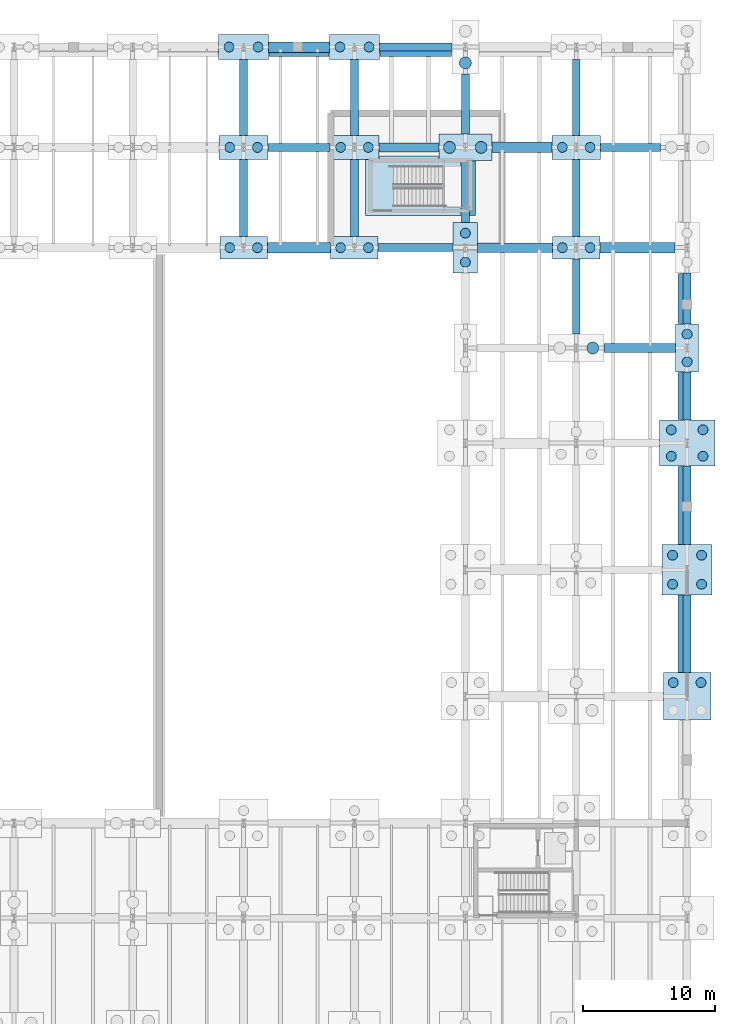
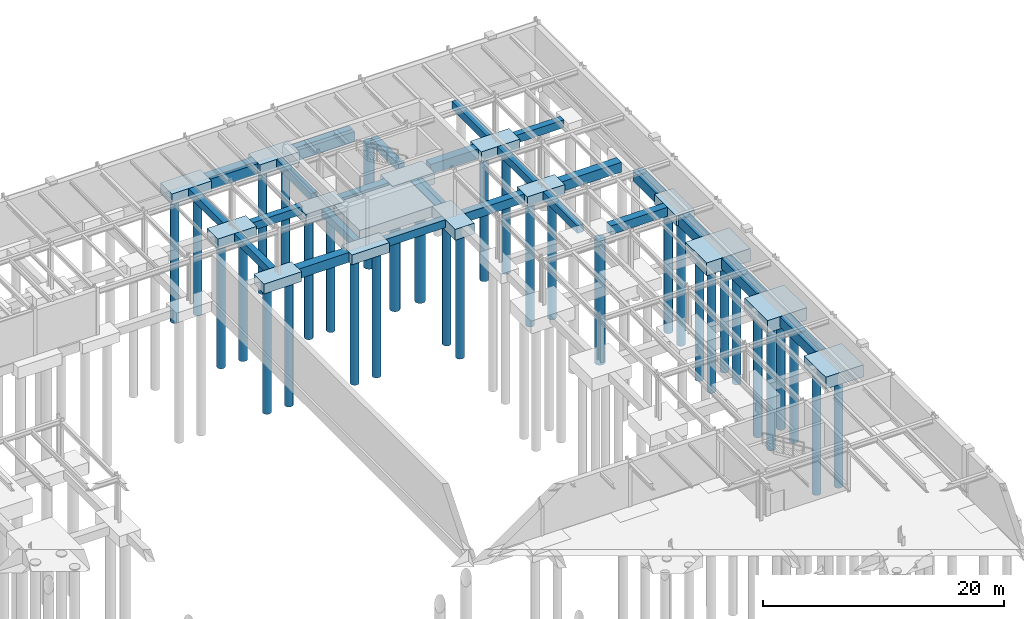
# One storey, part 12 of 59: 46 footings, 34 piles.
"""IFC4 building model written with IfcOpenShell, lengths in metres."""

from ifc_helpers import new_model, si_unit, direction, frame, origin, origin_2d, place, context, subcontext, project, spatial, polyline, rectangle, circle, outline, extrude, material, material_profile, profile_set, type_object, element, save


model = new_model("IFC4")

# Units and contexts
model_context = context("Model", 3, precision=1e-05, world=origin(), true_north=direction((0.0, 1.0)))
body_context = subcontext(model_context, "Body", "Model", "MODEL_VIEW")
ifc_project = project(units=[si_unit("LENGTHUNIT", "METRE"), si_unit("AREAUNIT", "SQUARE_METRE"), si_unit("VOLUMEUNIT", "CUBIC_METRE"), si_unit("PLANEANGLEUNIT", "RADIAN"), si_unit("MASSUNIT", "GRAM", prefix="KILO")], contexts=[model_context])

# Site, building, storey
site_placement = place(None, origin())
site = spatial("IfcSite", under=ifc_project, at=site_placement, CompositionType="ELEMENT")
building_placement = place(site_placement, origin())
building = spatial("IfcBuilding", under=site, at=building_placement, Name="Montealbar Specialist Clinic", CompositionType="ELEMENT")
storey_placement = place(building_placement, frame((0.0, 0.0, -4.800048828125)))
storey = spatial("IfcBuildingStorey", under=building, at=storey_placement, Name="B01", CompositionType="ELEMENT", Elevation=-4.800048828125)

# Footings
ifc_material = material(Name="Concrete C35/45", Category="concrete")
footing_type_1 = type_object("IfcFootingType", Name="FB-TIE-600x800", PredefinedType="FOOTING_BEAM", material=ifc_material)
footing_1_placement = place(storey_placement, frame((0.0, 0.0, -0.800048828125)))
element("IfcFooting", 1, at=footing_1_placement, inside=storey, type_object=footing_type_1, Name="Foundation Ground Beam FBX-1386-1443-958", PredefinedType="FOOTING_BEAM", context=body_context, shape_type="SweptSolid", body=[
    extrude(outline(polyline([(138.60009765625, 95.5), (144.27490234375, 95.5), (144.27490234375, 96.10009765625), (138.60009765625, 96.10009765625), (138.60009765625, 95.5)])), origin(), (0.0, 0.0, 1.0), 0.800048828125),
])
footing_2_placement = place(storey_placement, frame((0.0, 0.0, -0.800048828125)))
element("IfcFooting", 2, at=footing_2_placement, inside=storey, type_object=footing_type_1, Name="Foundation Ground Beam FBX-1302-1350-1034", PredefinedType="FOOTING_BEAM", context=body_context, shape_type="SweptSolid", body=[
    extrude(outline(polyline([(130.25, 103.10009765625), (134.949951171875, 103.10009765625), (134.949951171875, 103.699951171875), (130.25, 103.699951171875), (130.25, 103.10009765625)])), origin(), (0.0, 0.0, 1.0), 0.800048828125),
])
footing_3_placement = place(storey_placement, frame((0.0, 0.0, -0.800048828125)))
element("IfcFooting", 3, at=footing_3_placement, inside=storey, type_object=footing_type_1, Name="Foundation Ground Beam FBX-1554-1600-1034", PredefinedType="FOOTING_BEAM", context=body_context, shape_type="SweptSolid", body=[
    extrude(outline(polyline([(155.449951171875, 103.10009765625), (160.0, 103.10009765625), (160.0, 103.699951171875), (155.449951171875, 103.699951171875), (155.449951171875, 103.10009765625)])), origin(), (0.0, 0.0, 1.0), 0.800048828125),
])
footing_4_placement = place(storey_placement, frame((0.0, 0.0, -0.800048828125)))
element("IfcFooting", 4, at=footing_4_placement, inside=storey, type_object=footing_type_1, Name="Foundation Ground Beam FBX-1387-1442-1110", PredefinedType="FOOTING_BEAM", context=body_context, shape_type="SweptSolid", body=[
    extrude(outline(polyline([(138.699951171875, 110.699951171875), (144.175048828125, 110.699951171875), (144.175048828125, 111.300048828125), (138.699951171875, 111.300048828125), (138.699951171875, 110.699951171875)])), origin(), (0.0, 0.0, 1.0), 0.800048828125),
])
footing_5_placement = place(storey_placement, frame((0.0, 0.0, -0.800048828125)))
element("IfcFooting", 5, at=footing_5_placement, inside=storey, type_object=footing_type_1, Name="Foundation Tie Beam FBY-1284-966-1025", PredefinedType="FOOTING_BEAM", context=body_context, shape_type="SweptSolid", body=[
    extrude(outline(polyline([(128.10009765625, 96.64990234375), (128.699951171875, 96.64990234375), (128.699951171875, 102.5), (128.10009765625, 102.5), (128.10009765625, 96.64990234375)])), origin(), (0.0, 0.0, 1.0), 0.800048828125),
])
footing_6_placement = place(storey_placement, frame((0.0, 0.0, -0.800048828125)))
element("IfcFooting", 6, at=footing_6_placement, inside=storey, type_object=footing_type_1, Name="Foundation Tie Beam FBY-1284-1043-1100", PredefinedType="FOOTING_BEAM", context=body_context, shape_type="SweptSolid", body=[
    extrude(outline(polyline([(128.10009765625, 104.300048828125), (128.699951171875, 104.300048828125), (128.699951171875, 110.050048828125), (128.10009765625, 110.050048828125), (128.10009765625, 104.300048828125)])), origin(), (0.0, 0.0, 1.0), 0.800048828125),
])
footing_7_placement = place(storey_placement, frame((0.0, 0.0, -1.25)))
element("IfcFooting", 7, at=footing_7_placement, inside=storey, type_object=footing_type_1, Name="Foundation Tie Beam FBY-1368-966-1025", PredefinedType="FOOTING_BEAM", context=body_context, shape_type="SweptSolid", body=[
    extrude(outline(polyline([(136.5, 96.64990234375), (137.10009765625, 96.64990234375), (137.10009765625, 102.5), (136.5, 102.5), (136.5, 96.64990234375)])), origin(), (0.0, 0.0, 1.0), 0.800048828125),
])
footing_8_placement = place(storey_placement, frame((0.0, 0.0, -0.800048828125)))
element("IfcFooting", 8, at=footing_8_placement, inside=storey, type_object=footing_type_1, Name="Foundation Tie Beam FBY-1368-1043-1100", PredefinedType="FOOTING_BEAM", context=body_context, shape_type="SweptSolid", body=[
    extrude(outline(polyline([(136.5, 104.300048828125), (137.10009765625, 104.300048828125), (137.10009765625, 110.050048828125), (136.5, 110.050048828125), (136.5, 104.300048828125)])), origin(), (0.0, 0.0, 1.0), 0.800048828125),
])
footing_9_placement = place(storey_placement, frame((0.0, 0.0, -1.25)))
element("IfcFooting", 9, at=footing_9_placement, inside=storey, type_object=footing_type_1, Name="Foundation Tie Beam FBY-1452-977-1024", PredefinedType="FOOTING_BEAM", context=body_context, shape_type="SweptSolid", body=[
    extrude(outline(polyline([(144.89990234375, 97.72509765625), (145.5, 97.72509765625), (145.5, 102.39990234375), (144.89990234375, 102.39990234375), (144.89990234375, 97.72509765625)])), origin(), (0.0, 0.0, 1.0), 0.800048828125),
])
footing_10_placement = place(storey_placement, frame((0.0, 0.0, -0.800048828125)))
element("IfcFooting", 10, at=footing_10_placement, inside=storey, type_object=footing_type_1, Name="Foundation Tie Beam FBY-1452-1044-1090", PredefinedType="FOOTING_BEAM", context=body_context, shape_type="SweptSolid", body=[
    extrude(outline(polyline([(144.89990234375, 104.39990234375), (145.5, 104.39990234375), (145.5, 108.949951171875), (144.89990234375, 108.949951171875), (144.89990234375, 104.39990234375)])), origin(), (0.0, 0.0, 1.0), 0.800048828125),
])
footing_11_placement = place(storey_placement, frame((0.0, 0.0, -0.800048828125)))
element("IfcFooting", 11, at=footing_11_placement, inside=storey, type_object=footing_type_1, Name="Foundation Tie Beam FBY-1536-893-950", PredefinedType="FOOTING_BEAM", context=body_context, shape_type="SweptSolid", body=[
    extrude(outline(polyline([(153.300048828125, 89.27490234375), (153.89990234375, 89.27490234375), (153.89990234375, 94.949951171875), (153.300048828125, 94.949951171875), (153.300048828125, 89.27490234375)])), origin(), (0.0, 0.0, 1.0), 0.800048828125),
])
footing_12_placement = place(storey_placement, frame((0.0, 0.0, -0.800048828125)))
element("IfcFooting", 12, at=footing_12_placement, inside=storey, type_object=footing_type_1, Name="Foundation Tie Beam FBY-1536-966-1025", PredefinedType="FOOTING_BEAM", context=body_context, shape_type="SweptSolid", body=[
    extrude(outline(polyline([(153.300048828125, 96.64990234375), (153.89990234375, 96.64990234375), (153.89990234375, 102.5), (153.300048828125, 102.5), (153.300048828125, 96.64990234375)])), origin(), (0.0, 0.0, 1.0), 0.800048828125),
])
footing_13_placement = place(storey_placement, frame((0.0, 0.0, -0.800048828125)))
element("IfcFooting", 13, at=footing_13_placement, inside=storey, type_object=footing_type_1, Name="Foundation Tie Beam FBY-1536-1043-1100", PredefinedType="FOOTING_BEAM", context=body_context, shape_type="SweptSolid", body=[
    extrude(outline(polyline([(153.300048828125, 104.300048828125), (153.89990234375, 104.300048828125), (153.89990234375, 110.050048828125), (153.300048828125, 110.050048828125), (153.300048828125, 104.300048828125)])), origin(), (0.0, 0.0, 1.0), 0.800048828125),
])
footing_14_placement = place(storey_placement, frame((0.0, 0.0, -0.800048828125)))
element("IfcFooting", 14, at=footing_14_placement, inside=storey, type_object=footing_type_1, Name="Foundation Tie Beam FBY-1620-636-695", PredefinedType="FOOTING_BEAM", context=body_context, shape_type="SweptSolid", body=[
    extrude(outline(polyline([(161.699951171875, 63.60009765625), (162.300048828125, 63.60009765625), (162.300048828125, 69.5), (161.699951171875, 69.5), (161.699951171875, 63.60009765625)])), origin(), (0.0, 0.0, 1.0), 0.800048828125),
])
footing_15_placement = place(storey_placement, frame((0.0, 0.0, -0.800048828125)))
element("IfcFooting", 15, at=footing_15_placement, inside=storey, type_object=footing_type_1, Name="Foundation Tie Beam FBY-1620-733-792", PredefinedType="FOOTING_BEAM", context=body_context, shape_type="SweptSolid", body=[
    extrude(outline(polyline([(161.699951171875, 73.300048828125), (162.300048828125, 73.300048828125), (162.300048828125, 79.25), (161.699951171875, 79.25), (161.699951171875, 73.300048828125)])), origin(), (0.0, 0.0, 1.0), 0.800048828125),
])
footing_16_placement = place(storey_placement, frame((0.0, 0.0, -0.800048828125)))
element("IfcFooting", 16, at=footing_16_placement, inside=storey, type_object=footing_type_1, Name="Foundation Tie Beam FBY-1620-828-864", PredefinedType="FOOTING_BEAM", context=body_context, shape_type="SweptSolid", body=[
    extrude(outline(polyline([(161.699951171875, 82.75), (162.300048828125, 82.75), (162.300048828125, 86.375), (161.699951171875, 86.375), (161.699951171875, 82.75)])), origin(), (0.0, 0.0, 1.0), 0.800048828125),
])
footing_17_placement = place(storey_placement, frame((0.0, 0.0, -0.800048828125)))
element("IfcFooting", 17, at=footing_17_placement, inside=storey, type_object=footing_type_1, Name="Foundation Tie Beam FBY-1620-900-939", PredefinedType="FOOTING_BEAM", context=body_context, shape_type="SweptSolid", body=[
    extrude(outline(polyline([(161.699951171875, 90.02490234375), (162.300048828125, 90.02490234375), (162.300048828125, 93.875), (161.699951171875, 93.875), (161.699951171875, 90.02490234375)])), origin(), (0.0, 0.0, 1.0), 0.800048828125),
])
footing_type_2 = type_object("IfcFootingType", Name="FB-TIE-700x900", PredefinedType="FOOTING_BEAM", material=ifc_material)
footing_18_placement = place(storey_placement, frame((0.0, 0.0, -0.89990234375)))
element("IfcFooting", 18, at=footing_18_placement, inside=storey, type_object=footing_type_2, Name="Foundation Ground Beam FBX-1557-1611-882", PredefinedType="FOOTING_BEAM", context=body_context, shape_type="SweptSolid", body=[
    extrude(outline(polyline([(155.699951171875, 87.85009765625), (161.125, 87.85009765625), (161.125, 88.550048828125), (155.699951171875, 88.550048828125), (155.699951171875, 87.85009765625)])), origin(), (0.0, 0.0, 1.0), 0.89990234375),
])
footing_19_placement = place(storey_placement, frame((0.0, 0.0, -0.89990234375)))
element("IfcFooting", 19, at=footing_19_placement, inside=storey, type_object=footing_type_2, Name="Foundation Ground Beam FBX-1461-1518-958", PredefinedType="FOOTING_BEAM", context=body_context, shape_type="SweptSolid", body=[
    extrude(outline(polyline([(146.125, 95.449951171875), (151.800048828125, 95.449951171875), (151.800048828125, 96.14990234375), (146.125, 96.14990234375), (146.125, 95.449951171875)])), origin(), (0.0, 0.0, 1.0), 0.89990234375),
])
footing_20_placement = place(storey_placement, frame((0.0, 0.0, -1.349853515625)))
element("IfcFooting", 20, at=footing_20_placement, inside=storey, type_object=footing_type_2, Name="Foundation Ground Beam FBX-1386-1432-1034", PredefinedType="FOOTING_BEAM", context=body_context, shape_type="SweptSolid", body=[
    extrude(outline(polyline([(138.64990234375, 103.050048828125), (143.199951171875, 103.050048828125), (143.199951171875, 103.75), (138.64990234375, 103.75), (138.64990234375, 103.050048828125)])), origin(), (0.0, 0.0, 1.0), 0.89990234375),
])
footing_type_3 = type_object("IfcFootingType", Name="FB-TIE-800x1000", PredefinedType="FOOTING_BEAM", material=ifc_material)
footing_21_placement = place(storey_placement, frame((0.0, 0.0, -1.0)))
element("IfcFooting", 21, at=footing_21_placement, inside=storey, type_object=footing_type_3, Name="Foundation Ground Beam FBX-1302-1350-958", PredefinedType="FOOTING_BEAM", context=body_context, shape_type="SweptSolid", body=[
    extrude(outline(polyline([(130.199951171875, 95.39990234375), (135.0, 95.39990234375), (135.0, 96.199951171875), (130.199951171875, 96.199951171875), (130.199951171875, 95.39990234375)])), origin(), (0.0, 0.0, 1.0), 1.0),
])
footing_22_placement = place(storey_placement, frame((0.0, 0.0, -1.0)))
element("IfcFooting", 22, at=footing_22_placement, inside=storey, type_object=footing_type_3, Name="Foundation Ground Beam FBX-1554-1611-958", PredefinedType="FOOTING_BEAM", context=body_context, shape_type="SweptSolid", body=[
    extrude(outline(polyline([(155.39990234375, 95.39990234375), (161.074951171875, 95.39990234375), (161.074951171875, 96.199951171875), (155.39990234375, 96.199951171875), (155.39990234375, 95.39990234375)])), origin(), (0.0, 0.0, 1.0), 1.0),
])
footing_23_placement = place(storey_placement, frame((0.0, 0.0, -1.0)))
element("IfcFooting", 23, at=footing_23_placement, inside=storey, type_object=footing_type_3, Name="Foundation Ground Beam FBX-1472-1518-1034", PredefinedType="FOOTING_BEAM", context=body_context, shape_type="SweptSolid", body=[
    extrude(outline(polyline([(147.199951171875, 103.0), (151.75, 103.0), (151.75, 103.800048828125), (147.199951171875, 103.800048828125), (147.199951171875, 103.0)])), origin(), (0.0, 0.0, 1.0), 1.0),
])
footing_24_placement = place(storey_placement, frame((0.0, 0.0, -1.0)))
element("IfcFooting", 24, at=footing_24_placement, inside=storey, type_object=footing_type_3, Name="Foundation Ground Beam FBX-1303-1349-1110", PredefinedType="FOOTING_BEAM", context=body_context, shape_type="SweptSolid", body=[
    extrude(outline(polyline([(130.300048828125, 110.60009765625), (134.89990234375, 110.60009765625), (134.89990234375, 111.39990234375), (130.300048828125, 111.39990234375), (130.300048828125, 110.60009765625)])), origin(), (0.0, 0.0, 1.0), 1.0),
])
footing_type_4 = type_object("IfcFootingType", Name="FT-CORE-STRIP", PredefinedType="STRIP_FOOTING", material=ifc_material)
footing_25_placement = place(storey_placement, frame((0.0, 0.0, -1.050048828125)))
element("IfcFooting", 25, at=footing_25_placement, inside=storey, type_object=footing_type_4, Name="Strip Footing FT-PLINTH-N-ALL-8", PredefinedType="STRIP_FOOTING", context=body_context, shape_type="SweptSolid", body=[
    extrude(outline(polyline([(130.330078125, 110.570068359375), (134.8701171875, 110.570068359375), (134.8701171875, 110.300048828125), (130.330078125, 110.300048828125), (130.330078125, 110.570068359375)])), origin(), (0.0, 0.0, 1.0), 1.050048828125),
])
footing_26_placement = place(storey_placement, frame((0.0, 0.0, -1.050048828125)))
element("IfcFooting", 26, at=footing_26_placement, inside=storey, type_object=footing_type_4, Name="Strip Footing FT-PLINTH-N-ALL-9", PredefinedType="STRIP_FOOTING", context=body_context, shape_type="SweptSolid", body=[
    extrude(outline(polyline([(138.72998046875, 110.300048828125), (138.72998046875, 110.669921875), (144.14501953125, 110.669921875), (144.14501953125, 110.300048828125), (138.72998046875, 110.300048828125)])), origin(), (0.0, 0.0, 1.0), 1.050048828125),
])
footing_27_placement = place(storey_placement, frame((0.0, 0.0, -1.050048828125)))
element("IfcFooting", 27, at=footing_27_placement, inside=storey, type_object=footing_type_4, Name="Strip Footing FT-PLINTH-NE-E-1", PredefinedType="STRIP_FOOTING", context=body_context, shape_type="SweptSolid", body=[
    extrude(outline(polyline([(161.300048828125, 73.330078125), (161.300048828125, 79.219970703125), (161.669921875, 79.219970703125), (161.669921875, 73.330078125), (161.300048828125, 73.330078125)])), origin(), (0.0, 0.0, 1.0), 1.050048828125),
])
footing_28_placement = place(storey_placement, frame((0.0, 0.0, -1.050048828125)))
element("IfcFooting", 28, at=footing_28_placement, inside=storey, type_object=footing_type_4, Name="Strip Footing FT-PLINTH-NE-E-4", PredefinedType="STRIP_FOOTING", context=body_context, shape_type="SweptSolid", body=[
    extrude(outline(polyline([(161.300048828125, 90.054931640625), (161.300048828125, 93.844970703125), (161.669921875, 93.844970703125), (161.669921875, 90.054931640625), (161.300048828125, 90.054931640625)])), origin(), (0.0, 0.0, 1.0), 1.050048828125),
])
footing_29_placement = place(storey_placement, frame((0.0, 0.0, -1.050048828125)))
element("IfcFooting", 29, at=footing_29_placement, inside=storey, type_object=footing_type_4, Name="Strip Footing FT-PLINTH-NE-E-5", PredefinedType="STRIP_FOOTING", context=body_context, shape_type="SweptSolid", body=[
    extrude(outline(polyline([(161.300048828125, 86.344970703125), (161.669921875, 86.344970703125), (161.669921875, 82.780029296875), (161.300048828125, 82.780029296875), (161.300048828125, 86.344970703125)])), origin(), (0.0, 0.0, 1.0), 1.050048828125),
])
footing_30_placement = place(storey_placement, frame((0.0, 0.0, -1.050048828125)))
element("IfcFooting", 30, at=footing_30_placement, inside=storey, type_object=footing_type_4, Name="Strip Footing FT-PLINTH-NE-E-6", PredefinedType="STRIP_FOOTING", context=body_context, shape_type="SweptSolid", body=[
    extrude(outline(polyline([(161.669921875, 63.6298828125), (161.300048828125, 63.6298828125), (161.300048828125, 69.469970703125), (161.669921875, 69.469970703125), (161.669921875, 63.6298828125)])), origin(), (0.0, 0.0, 1.0), 1.050048828125),
])
footing_31_placement = place(storey_placement, frame((0.0, 0.0, -1.5)))
element("IfcFooting", 31, at=footing_31_placement, inside=storey, type_object=footing_type_4, Name="Strip Footing FT-CORE-C7-1", PredefinedType="STRIP_FOOTING", context=body_context, shape_type="SweptSolid", body=[
    extrude(outline(polyline([(143.169921875, 102.3701171875), (144.8701171875, 102.3701171875), (144.8701171875, 98.25), (137.64990234375, 98.25), (137.64990234375, 102.469970703125), (138.679931640625, 102.469970703125), (138.679931640625, 102.75), (143.169921875, 102.75), (143.169921875, 102.3701171875)])), origin(), (0.0, 0.0, 1.0), 1.050048828125),
])
footing_32_placement = place(storey_placement, frame((0.0, 0.0, -1.5)))
element("IfcFooting", 32, at=footing_32_placement, inside=storey, type_object=footing_type_4, Name="Strip Footing FT-CORE-C7-2", PredefinedType="STRIP_FOOTING", context=body_context, shape_type="SweptSolid", body=[
    extrude(outline(polyline([(145.530029296875, 102.3701171875), (145.949951171875, 102.3701171875), (145.949951171875, 98.25), (145.530029296875, 98.25), (145.530029296875, 102.3701171875)])), origin(), (0.0, 0.0, 1.0), 1.050048828125),
])
footing_type_5 = type_object("IfcFootingType", Name="PC-2A", PredefinedType="PILE_CAP", material=ifc_material)
for number, where, z_axis, x_axis, name in (
    (33, (128.39990234375, 95.800048828125, -1.0), (0.0, 0.0, 1.0), (1.0, 0.0, 0.0), "Pile Cap 17/M"),
    (34, (136.800048828125, 95.800048828125, -1.0), (0.0, 0.0, 1.0), (1.0, 0.0, 0.0), "Pile Cap 18/M"),
    (35, (153.60009765625, 95.800048828125, -1.0), (0.0, 0.0, 1.0), (1.0, 0.0, 0.0), "Pile Cap 20/M"),
):
    element("IfcFooting", number, at=place(storey_placement, frame(where, z_axis=z_axis, x_axis=x_axis)), inside=storey, type_object=footing_type_5, Name=name, PredefinedType="PILE_CAP", context=body_context, shape_type="SweptSolid", body=[
        extrude(rectangle(XDim=3.60009765625, YDim=1.699951171875, at=origin_2d()), origin(), (0.0, 0.0, 1.0), 1.0),
    ])
footing_type_6 = type_object("IfcFootingType", Name="PC-2B", PredefinedType="PILE_CAP", material=ifc_material)
for number, where, z_axis, x_axis, name in (
    (36, (128.39990234375, 103.39990234375, -1.0498046875), (0.0, 0.0, 1.0), (1.0, 0.0, 0.0), "Pile Cap 17/N"),
    (37, (136.800048828125, 103.39990234375, -1.5), (0.0, 0.0, 1.0), (1.0, 0.0, 0.0), "Pile Cap 18/N"),
    (38, (153.60009765625, 103.39990234375, -1.0498046875), (0.0, 0.0, 1.0), (1.0, 0.0, 0.0), "Pile Cap 20/N"),
):
    element("IfcFooting", number, at=place(storey_placement, frame(where, z_axis=z_axis, x_axis=x_axis)), inside=storey, type_object=footing_type_6, Name=name, PredefinedType="PILE_CAP", context=body_context, shape_type="SweptSolid", body=[
        extrude(rectangle(XDim=3.699951171875, YDim=1.800048828125, at=origin_2d()), origin(), (0.0, 0.0, 1.0), 1.050048828125),
    ])
footing_type_7 = type_object("IfcFootingType", Name="PC-2C", PredefinedType="PILE_CAP", material=ifc_material)
for number, where, z_axis, x_axis, name in (
    (39, (128.39990234375, 111.0, -1.10009765625), (0.0, 0.0, 1.0), (1.0, 0.0, 0.0), "Pile Cap 17/P"),
    (40, (136.800048828125, 111.0, -1.10009765625), (0.0, 0.0, 1.0), (1.0, 0.0, 0.0), "Pile Cap 18/P"),
):
    element("IfcFooting", number, at=place(storey_placement, frame(where, z_axis=z_axis, x_axis=x_axis)), inside=storey, type_object=footing_type_7, Name=name, PredefinedType="PILE_CAP", context=body_context, shape_type="SweptSolid", body=[
        extrude(rectangle(XDim=3.800048828125, YDim=1.89990234375, at=origin_2d()), origin(), (0.0, 0.0, 1.0), 1.10009765625),
    ])
footing_type_8 = type_object("IfcFootingType", Name="PC-2D", PredefinedType="PILE_CAP", material=ifc_material)
footing_33_placement = place(storey_placement, frame((162.0, 88.199951171875, -1.0), z_axis=(0.0, 0.0, 1.0), x_axis=(1.0, 0.0, 0.0)))
element("IfcFooting", 41, at=footing_33_placement, inside=storey, type_object=footing_type_8, Name="Pile Cap 21/L", PredefinedType="PILE_CAP", context=body_context, shape_type="SweptSolid", body=[
    extrude(rectangle(XDim=1.75, YDim=3.64990234375, at=origin_2d()), origin(), (0.0, 0.0, 1.0), 1.0),
])
footing_type_9 = type_object("IfcFootingType", Name="PC-2E", PredefinedType="PILE_CAP", material=ifc_material)
footing_34_placement = place(storey_placement, frame((145.199951171875, 95.800048828125, -1.10009765625), z_axis=(0.0, 0.0, 1.0), x_axis=(1.0, 0.0, 0.0)))
element("IfcFooting", 42, at=footing_34_placement, inside=storey, type_object=footing_type_9, Name="Pile Cap 19/M", PredefinedType="PILE_CAP", context=body_context, shape_type="SweptSolid", body=[
    extrude(rectangle(XDim=1.85009765625, YDim=3.85009765625, at=origin_2d()), origin(), (0.0, 0.0, 1.0), 1.10009765625),
])
footing_type_10 = type_object("IfcFootingType", Name="PC-2F", PredefinedType="PILE_CAP", material=ifc_material)
footing_35_placement = place(storey_placement, frame((145.199951171875, 103.39990234375, -1.599853515625), z_axis=(0.0, 0.0, 1.0), x_axis=(1.0, 0.0, 0.0)))
element("IfcFooting", 43, at=footing_35_placement, inside=storey, type_object=footing_type_10, Name="Pile Cap 19/N", PredefinedType="PILE_CAP", context=body_context, shape_type="SweptSolid", body=[
    extrude(rectangle(XDim=4.0, YDim=2.0, at=origin_2d()), origin(), (0.0, 0.0, 1.0), 1.14990234375),
])
footing_type_11 = type_object("IfcFootingType", Name="PC-4A", PredefinedType="PILE_CAP", material=ifc_material)
footing_36_placement = place(storey_placement, frame((162.0, 61.800048828125, -1.19970703125), z_axis=(0.0, 0.0, 1.0), x_axis=(1.0, 0.0, 0.0)))
element("IfcFooting", 44, at=footing_36_placement, inside=storey, type_object=footing_type_11, Name="Pile Cap 21/H", PredefinedType="PILE_CAP", context=body_context, shape_type="SweptSolid", body=[
    extrude(rectangle(XDim=3.60009765625, YDim=3.60009765625, at=origin_2d()), origin(), (0.0, 0.0, 1.0), 1.199951171875),
])
footing_type_12 = type_object("IfcFootingType", Name="PC-4B", PredefinedType="PILE_CAP", material=ifc_material)
footing_37_placement = place(storey_placement, frame((162.0, 71.39990234375, -1.25), z_axis=(0.0, 0.0, 1.0), x_axis=(1.0, 0.0, 0.0)))
element("IfcFooting", 45, at=footing_37_placement, inside=storey, type_object=footing_type_12, Name="Pile Cap 21/J", PredefinedType="PILE_CAP", context=body_context, shape_type="SweptSolid", body=[
    extrude(rectangle(XDim=3.800048828125, YDim=3.800048828125, at=origin_2d()), origin(), (0.0, 0.0, 1.0), 1.25),
])
footing_type_13 = type_object("IfcFootingType", Name="PC-4D", PredefinedType="PILE_CAP", material=ifc_material)
footing_38_placement = place(storey_placement, frame((162.0, 81.0, -1.2998046875), z_axis=(0.0, 0.0, 1.0), x_axis=(1.0, 0.0, 0.0)))
element("IfcFooting", 46, at=footing_38_placement, inside=storey, type_object=footing_type_13, Name="Pile Cap 21/K", PredefinedType="PILE_CAP", context=body_context, shape_type="SweptSolid", body=[
    extrude(rectangle(XDim=4.199951171875, YDim=3.5, at=origin_2d()), origin(), (0.0, 0.0, 1.0), 1.300048828125),
])

# Piles
ifc_material_profile_1 = material_profile(ifc_material, circle(Radius=0.375, at=origin_2d()), Name="PILE D750", Category="concrete")
ifc_profile_set_1 = profile_set([ifc_material_profile_1], Name="Concrete C35/45")
pile_type_1 = type_object("IfcPileType", Name="PILE-D750", PredefinedType="BORED", material=ifc_profile_set_1)
for number, where, z_axis, x_axis, name in (
    (47, (127.35009765625, 95.800048828125, -0.89990234375), (0.0, 0.0, -1.0), (1.0, 0.0, 0.0), "Bored Pile 17/M-P1"),
    (48, (129.449951171875, 95.800048828125, -0.89990234375), (0.0, 0.0, -1.0), (1.0, 0.0, 0.0), "Bored Pile 17/M-P2"),
):
    element("IfcPile", number, at=place(storey_placement, frame(where, z_axis=z_axis, x_axis=x_axis)), inside=storey, type_object=pile_type_1, Name=name, PredefinedType="BORED", context=body_context, shape_type="SweptSolid", body=[
        extrude(circle(Radius=0.375, at=origin_2d()), origin(), (0.0, 0.0, 1.0), 12.800048828125),
    ])
for number, where, z_axis, x_axis, name in (
    (49, (127.35009765625, 103.39990234375, -0.949951171875), (0.0, 0.0, -1.0), (1.0, 0.0, 0.0), "Bored Pile 17/N-P1"),
    (50, (129.449951171875, 103.39990234375, -0.949951171875), (0.0, 0.0, -1.0), (1.0, 0.0, 0.0), "Bored Pile 17/N-P2"),
):
    element("IfcPile", number, at=place(storey_placement, frame(where, z_axis=z_axis, x_axis=x_axis)), inside=storey, type_object=pile_type_1, Name=name, PredefinedType="BORED", context=body_context, shape_type="SweptSolid", body=[
        extrude(circle(Radius=0.375, at=origin_2d()), origin(), (0.0, 0.0, 1.0), 12.75),
    ])
for number, where, z_axis, x_axis, name in (
    (51, (127.300048828125, 111.0, -1.0), (0.0, 0.0, -1.0), (1.0, 0.0, 0.0), "Bored Pile 17/P-P1"),
    (52, (129.5, 111.0, -1.0), (0.0, 0.0, -1.0), (1.0, 0.0, 0.0), "Bored Pile 17/P-P2"),
):
    element("IfcPile", number, at=place(storey_placement, frame(where, z_axis=z_axis, x_axis=x_axis)), inside=storey, type_object=pile_type_1, Name=name, PredefinedType="BORED", context=body_context, shape_type="SweptSolid", body=[
        extrude(circle(Radius=0.375, at=origin_2d()), origin(), (0.0, 0.0, 1.0), 12.699951171875),
    ])
for number, where, z_axis, x_axis, name in (
    (53, (135.75, 95.800048828125, -0.89990234375), (0.0, 0.0, -1.0), (1.0, 0.0, 0.0), "Bored Pile 18/M-P1"),
    (54, (137.85009765625, 95.800048828125, -0.89990234375), (0.0, 0.0, -1.0), (1.0, 0.0, 0.0), "Bored Pile 18/M-P2"),
):
    element("IfcPile", number, at=place(storey_placement, frame(where, z_axis=z_axis, x_axis=x_axis)), inside=storey, type_object=pile_type_1, Name=name, PredefinedType="BORED", context=body_context, shape_type="SweptSolid", body=[
        extrude(circle(Radius=0.375, at=origin_2d()), origin(), (0.0, 0.0, 1.0), 12.800048828125),
    ])
for number, where, z_axis, x_axis, name in (
    (55, (135.75, 103.39990234375, -1.39990234375), (0.0, 0.0, -1.0), (1.0, 0.0, 0.0), "Bored Pile 18/N-P1"),
    (56, (137.85009765625, 103.39990234375, -1.39990234375), (0.0, 0.0, -1.0), (1.0, 0.0, 0.0), "Bored Pile 18/N-P2"),
):
    element("IfcPile", number, at=place(storey_placement, frame(where, z_axis=z_axis, x_axis=x_axis)), inside=storey, type_object=pile_type_1, Name=name, PredefinedType="BORED", context=body_context, shape_type="SweptSolid", body=[
        extrude(circle(Radius=0.375, at=origin_2d()), origin(), (0.0, 0.0, 1.0), 12.300048828125),
    ])
for number, where, z_axis, x_axis, name in (
    (57, (135.699951171875, 111.0, -1.0), (0.0, 0.0, -1.0), (1.0, 0.0, 0.0), "Bored Pile 18/P-P1"),
    (58, (137.89990234375, 111.0, -1.0), (0.0, 0.0, -1.0), (1.0, 0.0, 0.0), "Bored Pile 18/P-P2"),
    (59, (145.199951171875, 94.699951171875, -1.0), (0.0, 0.0, -1.0), (1.0, 0.0, 0.0), "Bored Pile 19/M-P1"),
    (60, (145.199951171875, 96.89990234375, -1.0), (0.0, 0.0, -1.0), (1.0, 0.0, 0.0), "Bored Pile 19/M-P2"),
):
    element("IfcPile", number, at=place(storey_placement, frame(where, z_axis=z_axis, x_axis=x_axis)), inside=storey, type_object=pile_type_1, Name=name, PredefinedType="BORED", context=body_context, shape_type="SweptSolid", body=[
        extrude(circle(Radius=0.375, at=origin_2d()), origin(), (0.0, 0.0, 1.0), 12.699951171875),
    ])
for number, where, z_axis, x_axis, name in (
    (61, (152.550048828125, 95.800048828125, -0.89990234375), (0.0, 0.0, -1.0), (1.0, 0.0, 0.0), "Bored Pile 20/M-P1"),
    (62, (154.64990234375, 95.800048828125, -0.89990234375), (0.0, 0.0, -1.0), (1.0, 0.0, 0.0), "Bored Pile 20/M-P2"),
):
    element("IfcPile", number, at=place(storey_placement, frame(where, z_axis=z_axis, x_axis=x_axis)), inside=storey, type_object=pile_type_1, Name=name, PredefinedType="BORED", context=body_context, shape_type="SweptSolid", body=[
        extrude(circle(Radius=0.375, at=origin_2d()), origin(), (0.0, 0.0, 1.0), 12.800048828125),
    ])
for number, where, z_axis, x_axis, name in (
    (63, (152.550048828125, 103.39990234375, -0.949951171875), (0.0, 0.0, -1.0), (1.0, 0.0, 0.0), "Bored Pile 20/N-P1"),
    (64, (154.64990234375, 103.39990234375, -0.949951171875), (0.0, 0.0, -1.0), (1.0, 0.0, 0.0), "Bored Pile 20/N-P2"),
):
    element("IfcPile", number, at=place(storey_placement, frame(where, z_axis=z_axis, x_axis=x_axis)), inside=storey, type_object=pile_type_1, Name=name, PredefinedType="BORED", context=body_context, shape_type="SweptSolid", body=[
        extrude(circle(Radius=0.375, at=origin_2d()), origin(), (0.0, 0.0, 1.0), 12.75),
    ])
for number, where, z_axis, x_axis, name in (
    (65, (160.949951171875, 62.85009765625, -1.099853515625), (0.0, 0.0, -1.0), (1.0, 0.0, 0.0), "Bored Pile 21/H-P3"),
    (66, (163.050048828125, 62.85009765625, -1.099853515625), (0.0, 0.0, -1.0), (1.0, 0.0, 0.0), "Bored Pile 21/H-P4"),
):
    element("IfcPile", number, at=place(storey_placement, frame(where, z_axis=z_axis, x_axis=x_axis)), inside=storey, type_object=pile_type_1, Name=name, PredefinedType="BORED", context=body_context, shape_type="SweptSolid", body=[
        extrude(circle(Radius=0.375, at=origin_2d()), origin(), (0.0, 0.0, 1.0), 12.60009765625),
    ])
for number, where, z_axis, x_axis, name in (
    (67, (160.89990234375, 70.300048828125, -1.14990234375), (0.0, 0.0, -1.0), (1.0, 0.0, 0.0), "Bored Pile 21/J-P1"),
    (68, (163.10009765625, 70.300048828125, -1.14990234375), (0.0, 0.0, -1.0), (1.0, 0.0, 0.0), "Bored Pile 21/J-P2"),
    (69, (160.89990234375, 72.5, -1.14990234375), (0.0, 0.0, -1.0), (1.0, 0.0, 0.0), "Bored Pile 21/J-P3"),
    (70, (163.10009765625, 72.5, -1.14990234375), (0.0, 0.0, -1.0), (1.0, 0.0, 0.0), "Bored Pile 21/J-P4"),
):
    element("IfcPile", number, at=place(storey_placement, frame(where, z_axis=z_axis, x_axis=x_axis)), inside=storey, type_object=pile_type_1, Name=name, PredefinedType="BORED", context=body_context, shape_type="SweptSolid", body=[
        extrude(circle(Radius=0.375, at=origin_2d()), origin(), (0.0, 0.0, 1.0), 12.550048828125),
    ])
for number, where, z_axis, x_axis, name in (
    (71, (160.800048828125, 80.0, -1.199951171875), (0.0, 0.0, -1.0), (1.0, 0.0, 0.0), "Bored Pile 21/K-P1"),
    (72, (163.199951171875, 80.0, -1.199951171875), (0.0, 0.0, -1.0), (1.0, 0.0, 0.0), "Bored Pile 21/K-P2"),
    (73, (160.800048828125, 82.0, -1.199951171875), (0.0, 0.0, -1.0), (1.0, 0.0, 0.0), "Bored Pile 21/K-P3"),
    (74, (163.199951171875, 82.0, -1.199951171875), (0.0, 0.0, -1.0), (1.0, 0.0, 0.0), "Bored Pile 21/K-P4"),
):
    element("IfcPile", number, at=place(storey_placement, frame(where, z_axis=z_axis, x_axis=x_axis)), inside=storey, type_object=pile_type_1, Name=name, PredefinedType="BORED", context=body_context, shape_type="SweptSolid", body=[
        extrude(circle(Radius=0.375, at=origin_2d()), origin(), (0.0, 0.0, 1.0), 12.5),
    ])
for number, where, z_axis, x_axis, name in (
    (75, (162.0, 87.14990234375, -0.89990234375), (0.0, 0.0, -1.0), (1.0, 0.0, 0.0), "Bored Pile 21/L-P1"),
    (76, (162.0, 89.25, -0.89990234375), (0.0, 0.0, -1.0), (1.0, 0.0, 0.0), "Bored Pile 21/L-P2"),
):
    element("IfcPile", number, at=place(storey_placement, frame(where, z_axis=z_axis, x_axis=x_axis)), inside=storey, type_object=pile_type_1, Name=name, PredefinedType="BORED", context=body_context, shape_type="SweptSolid", body=[
        extrude(circle(Radius=0.375, at=origin_2d()), origin(), (0.0, 0.0, 1.0), 12.800048828125),
    ])
ifc_material_profile_2 = material_profile(ifc_material, circle(Radius=0.449951171875, at=origin_2d()), Name="PILE D900", Category="concrete")
ifc_profile_set_2 = profile_set([ifc_material_profile_2], Name="Concrete C35/45")
pile_type_2 = type_object("IfcPileType", Name="PILE-D900", PredefinedType="BORED", material=ifc_profile_set_2)
for number, where, z_axis, x_axis, name in (
    (77, (144.0, 103.39990234375, -1.5), (0.0, 0.0, -1.0), (1.0, 0.0, 0.0), "Bored Pile 19/N-P1"),
    (78, (146.39990234375, 103.39990234375, -1.5), (0.0, 0.0, -1.0), (1.0, 0.0, 0.0), "Bored Pile 19/N-P2"),
):
    element("IfcPile", number, at=place(storey_placement, frame(where, z_axis=z_axis, x_axis=x_axis)), inside=storey, type_object=pile_type_2, Name=name, PredefinedType="BORED", context=body_context, shape_type="SweptSolid", body=[
        extrude(circle(Radius=0.449951171875, at=origin_2d()), origin(), (0.0, 0.0, 1.0), 12.199951171875),
    ])
pile_1_placement = place(storey_placement, frame((145.199951171875, 109.800048828125, -1.050048828125), z_axis=(0.0, 0.0, -1.0), x_axis=(1.0, 0.0, 0.0)))
element("IfcPile", 79, at=pile_1_placement, inside=storey, type_object=pile_type_2, Name="Bored Pile 19/P-P1", PredefinedType="BORED", context=body_context, shape_type="SweptSolid", body=[
    extrude(circle(Radius=0.449951171875, at=origin_2d()), origin(), (0.0, 0.0, 1.0), 12.64990234375),
])
pile_2_placement = place(storey_placement, frame((154.85009765625, 88.199951171875, -1.099853515625), z_axis=(0.0, 0.0, -1.0), x_axis=(1.0, 0.0, 0.0)))
element("IfcPile", 80, at=pile_2_placement, inside=storey, type_object=pile_type_2, Name="Bored Pile 20/L-P2", PredefinedType="BORED", context=body_context, shape_type="SweptSolid", body=[
    extrude(circle(Radius=0.449951171875, at=origin_2d()), origin(), (0.0, 0.0, 1.0), 12.60009765625),
])

save(model, "model.ifc")
